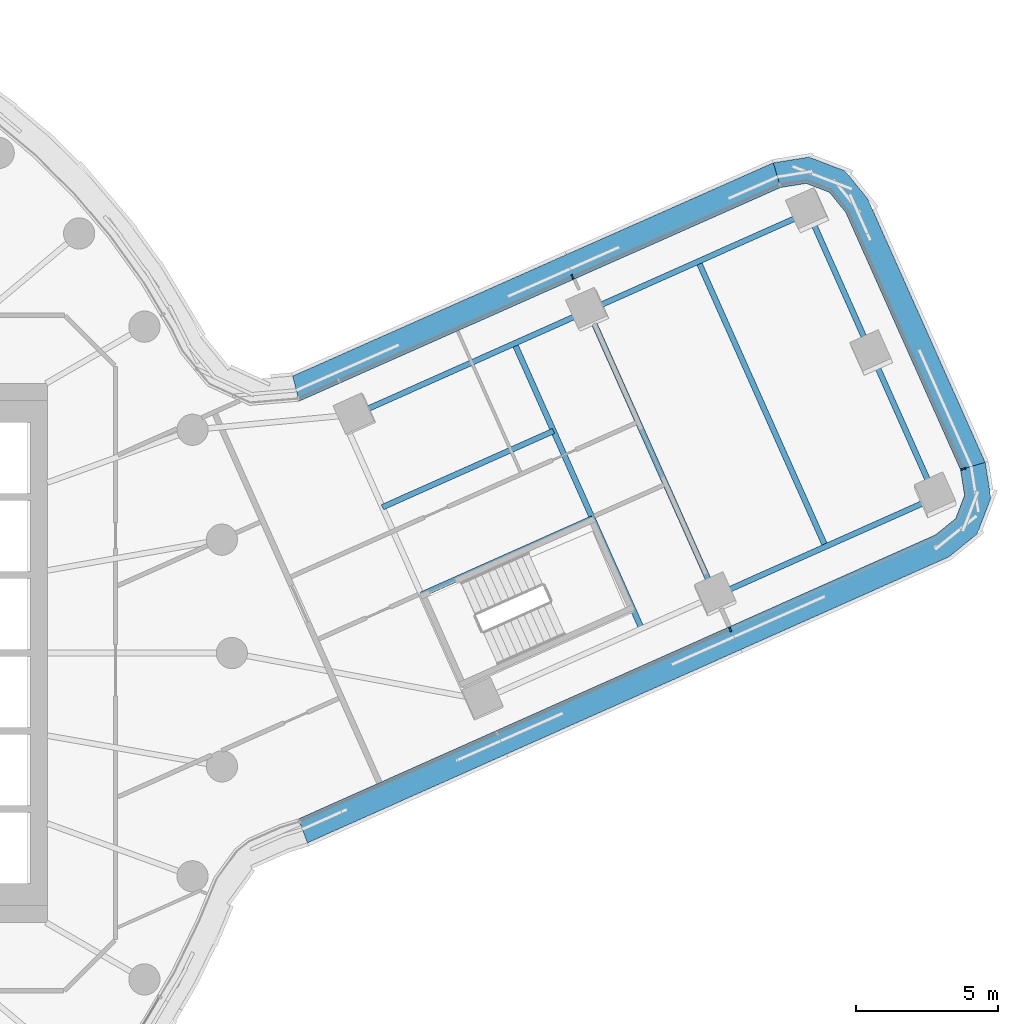
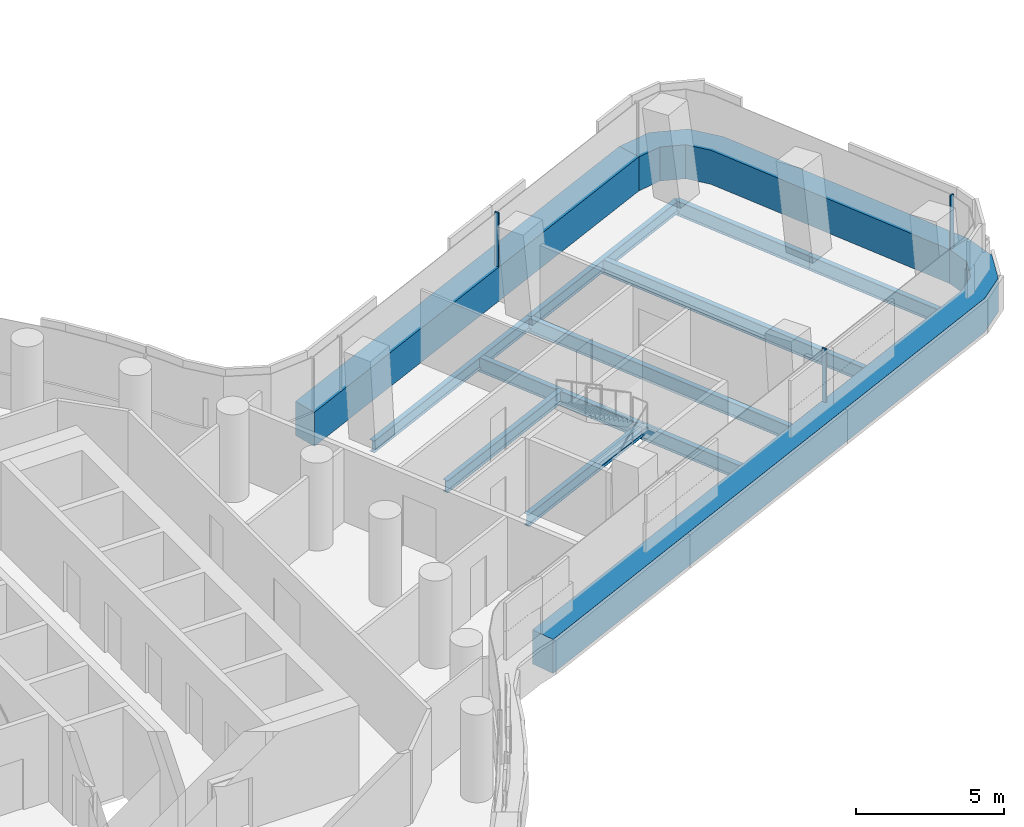
# One storey, part 12 of 35: 10 beams, 6 members, 3 elements without a shape of their own.
"""IFC4 building model written with IfcOpenShell, lengths in metres."""

from ifc_helpers import new_model, si_unit, direction, frame, origin, origin_2d, place, context, subcontext, project, spatial, polyline, rectangle, i_section, outline, extrude, material, layer, layer_set, material_profile, profile_set, type_object, element, aggregate, save


model = new_model("IFC4")

# Units and contexts
model_context = context("Model", 3, precision=1e-05, world=origin(), true_north=direction((0.0, 1.0)))
body_context = subcontext(model_context, "Body", "Model", "MODEL_VIEW")
ifc_project = project(units=[si_unit("LENGTHUNIT", "METRE"), si_unit("AREAUNIT", "SQUARE_METRE"), si_unit("VOLUMEUNIT", "CUBIC_METRE"), si_unit("PLANEANGLEUNIT", "RADIAN"), si_unit("MASSUNIT", "GRAM", prefix="KILO")], contexts=[model_context])

# Site, building, storey
site_placement = place(None, origin())
site = spatial("IfcSite", under=ifc_project, at=site_placement, CompositionType="ELEMENT")
building_placement = place(site_placement, origin())
building = spatial("IfcBuilding", under=site, at=building_placement, Name="Tamarind Cross Interchange Tower", CompositionType="ELEMENT")
storey_placement = place(building_placement, frame((0.0, 0.0, 121.0)))
storey = spatial("IfcBuildingStorey", under=building, at=storey_placement, Name="L29", CompositionType="ELEMENT", Elevation=121.0)

# Beams
ifc_material_1 = material(Name="Steel Q355B", Category="steel")
ifc_material_profile_1 = material_profile(ifc_material_1, i_section(OverallWidth=0.198974609375, OverallDepth=0.49609375, WebThickness=0.009033203125, FlangeThickness=0.013916015625, FilletRadius=0.012939453125, at=origin_2d()), Name="HN 496x199x9x14")
ifc_profile_set_1 = profile_set([ifc_material_profile_1], Name="Steel Q355B")
beam_type_1 = type_object("IfcBeamType", Name="Composite beam HN 496x199x9x14 Q355B", PredefinedType="BEAM", material=ifc_profile_set_1)
for number, where, z_axis, x_axis, name in (
    (1, (47.7958984375, 5.4794921875, -0.387939453125), (-0.913337868531, -0.407202576007, 0.0), (0.407202576007, -0.913337868531, 0.0), "Beam E-edgeem5"),
    (2, (43.31640625, 15.526123046875, -0.387939453125), (-0.913337868531, -0.407202576007, 0.0), (0.407202576007, -0.913337868531, 0.0), "Beam E-edgeep2"),
):
    element("IfcBeam", number, at=place(storey_placement, frame(where, z_axis=z_axis, x_axis=x_axis)), inside=storey, type_object=beam_type_1, Name=name, PredefinedType="BEAM", context=body_context, shape_type="SweptSolid", body=[
        extrude(i_section(OverallWidth=0.198974609375, OverallDepth=0.49609375, WebThickness=0.009033203125, FlangeThickness=0.013916015625, FilletRadius=0.012939453125, at=origin_2d()), origin(), (0.0, 0.0, 1.0), 8.491455078125),
    ])
beam_1_placement = place(storey_placement, frame((35.560791015625, 12.068359375, -0.387939453125), z_axis=(-0.913327655612, -0.407225482374, 0.0), x_axis=(0.407225482374, -0.913327655612, 0.0)))
element("IfcBeam", 3, at=beam_1_placement, inside=storey, type_object=beam_type_1, Name="Beam E-edgeep3", PredefinedType="BEAM", context=body_context, shape_type="SweptSolid", body=[
    extrude(i_section(OverallWidth=0.198974609375, OverallDepth=0.49609375, WebThickness=0.009033203125, FlangeThickness=0.013916015625, FilletRadius=0.012939453125, at=origin_2d()), origin(), (0.0, 0.0, 1.0), 9.0),
])
beam_2_placement = place(storey_placement, frame((29.6787109375, 2.054931640625, -0.387939453125), z_axis=(0.9133212232, 0.407239908717, 0.0), x_axis=(-0.407239908717, 0.9133212232, 0.0)))
element("IfcBeam", 4, at=beam_2_placement, inside=storey, type_object=beam_type_1, Name="Beam E-tr1", PredefinedType="BEAM", context=body_context, shape_type="SweptSolid", body=[
    extrude(i_section(OverallWidth=0.198974609375, OverallDepth=0.49609375, WebThickness=0.009033203125, FlangeThickness=0.013916015625, FilletRadius=0.012939453125, at=origin_2d()), origin(), (0.0, 0.0, 1.0), 6.599853515625),
])
beam_3_placement = place(storey_placement, frame((28.30419921875, 5.137451171875, -0.387939453125), z_axis=(0.913327357728, 0.407226150469, 0.0), x_axis=(-0.407226150469, 0.913327357728, 0.0)))
element("IfcBeam", 5, at=beam_3_placement, inside=storey, type_object=beam_type_1, Name="Beam E-stripp", PredefinedType="BEAM", context=body_context, shape_type="SweptSolid", body=[
    extrude(i_section(OverallWidth=0.198974609375, OverallDepth=0.49609375, WebThickness=0.009033203125, FlangeThickness=0.013916015625, FilletRadius=0.012939453125, at=origin_2d()), origin(), (0.0, 0.0, 1.0), 6.60009765625),
])
ifc_material_profile_2 = material_profile(ifc_material_1, i_section(OverallWidth=0.199951171875, OverallDepth=0.60009765625, WebThickness=0.010986328125, FlangeThickness=0.01708984375, FilletRadius=0.012939453125, at=origin_2d()), Name="HN 600x200x11x17")
ifc_profile_set_2 = profile_set([ifc_material_profile_2], Name="Steel Q355B")
beam_type_2 = type_object("IfcBeamType", Name="Composite beam HN 600x200x11x17 Q355B", PredefinedType="BEAM", material=ifc_profile_set_2)
beam_4_placement = place(storey_placement, frame((47.7958984375, 5.4794921875, -0.43994140625), z_axis=(-0.407217227701, 0.913331336079, 0.0), x_axis=(-0.913331336079, -0.407217227701, 0.0)))
element("IfcBeam", 6, at=beam_4_placement, inside=storey, type_object=beam_type_2, Name="Beam E-tip0", PredefinedType="BEAM", context=body_context, shape_type="SweptSolid", body=[
    extrude(i_section(OverallWidth=0.199951171875, OverallDepth=0.60009765625, WebThickness=0.010986328125, FlangeThickness=0.01708984375, FilletRadius=0.012939453125, at=origin_2d()), origin(), (0.0, 0.0, 1.0), 5.500244140625),
])
beam_5_placement = place(storey_placement, frame((45.55615234375, 10.5029296875, -0.43994140625), z_axis=(-0.407233737348, 0.913323974921, 0.0), x_axis=(-0.913323974921, -0.407233737348, 0.0)))
element("IfcBeam", 7, at=beam_5_placement, inside=storey, type_object=beam_type_2, Name="Beam E-tip1", PredefinedType="BEAM", context=body_context, shape_type="SweptSolid", body=[
    extrude(i_section(OverallWidth=0.199951171875, OverallDepth=0.60009765625, WebThickness=0.010986328125, FlangeThickness=0.01708984375, FilletRadius=0.012939453125, at=origin_2d()), origin(), (0.0, 0.0, 1.0), 5.5),
])
for number, where, z_axis, x_axis, name in (
    (8, (37.437255859375, 0.861083984375, -0.43994140625), (-0.407206968158, 0.913335910322, 0.0), (-0.913335910322, -0.407206968158, 0.0), "Beam E-x364"),
    (9, (40.040283203125, 2.021728515625, -0.43994140625), (-0.407225482374, 0.913327655612, 0.0), (-0.913327655612, -0.407225482374, 0.0), "Beam E-x393"),
    (10, (43.91796875, 3.75048828125, -0.43994140625), (-0.407206968158, 0.913335910322, 0.0), (-0.913335910322, -0.407206968158, 0.0), "Beam E-x435"),
):
    element("IfcBeam", number, at=place(storey_placement, frame(where, z_axis=z_axis, x_axis=x_axis)), inside=storey, type_object=beam_type_2, Name=name, PredefinedType="BEAM", context=body_context, shape_type="SweptSolid", body=[
        extrude(i_section(OverallWidth=0.199951171875, OverallDepth=0.60009765625, WebThickness=0.010986328125, FlangeThickness=0.01708984375, FilletRadius=0.012939453125, at=origin_2d()), origin(), (0.0, 0.0, 1.0), 11.0),
    ])

# Curtain wall, member
ifc_material_2 = material(Name="Aluminium 6063-T6", Category="aluminium")
ifc_layer = layer(ifc_material_2, 0.159912109375)
ifc_layer_set = layer_set([ifc_layer], Name="Aluminium 6063-T6")
curtain_wall_type = type_object("IfcCurtainWallType", Name="Office curtain wall, 9.0 m bays", PredefinedType="NOTDEFINED", material=ifc_layer_set)
curtain_wall_1_placement = place(storey_placement, origin())
curtain_wall_1 = element("IfcCurtainWall", 11, at=curtain_wall_1_placement, inside=storey, type_object=curtain_wall_type, Name="CWS-L29-07", PredefinedType="NOTDEFINED")
ifc_material_3 = material(Name="Aluminium and insulated spandrel panel", Category="aluminium")
member_type_1 = type_object("IfcMemberType", Name="Floor-edge blade transom", PredefinedType="USERDEFINED", material=ifc_material_3)
member_1_placement = place(storey_placement, origin())
member_1 = element("IfcMember", 12, at=member_1_placement, type_object=member_type_1, Name="CWT-L29-07", ObjectType="TRANSOM", PredefinedType="USERDEFINED", context=body_context, shape_type="SweptSolid", body=[
    extrude(outline(polyline([(25.34619140625, -5.843994140625), (47.791748046875, 4.163818359375), (48.5029296875, 4.740234375), (48.81591796875, 5.556884765625), (48.672119140625, 6.4609375), (49.54248046875, 6.71923828125), (49.742431640625, 5.4599609375), (49.257080078125, 4.193115234375), (48.2666015625, 3.39013671875), (25.6630859375, -6.68798828125), (25.34619140625, -5.843994140625)])), origin(), (0.0, 0.0, 1.0), 1.39990234375),
])

curtain_wall_2_placement = place(storey_placement, origin())
curtain_wall_2 = element("IfcCurtainWall", 13, at=curtain_wall_2_placement, inside=storey, type_object=curtain_wall_type, Name="CWS-L29-08", PredefinedType="NOTDEFINED")
member_2_placement = place(storey_placement, origin())
member_2 = element("IfcMember", 14, at=member_2_placement, type_object=member_type_1, Name="CWT-L29-08", ObjectType="TRANSOM", PredefinedType="USERDEFINED", context=body_context, shape_type="SweptSolid", body=[
    extrude(outline(polyline([(48.672119140625, 6.4609375), (44.632080078125, 15.52197265625), (44.0556640625, 16.233154296875), (43.239013671875, 16.546142578125), (42.334716796875, 16.40234375), (42.0771484375, 17.272705078125), (43.3359375, 17.472900390625), (44.60302734375, 16.9873046875), (45.40576171875, 15.996826171875), (49.54248046875, 6.71923828125), (48.672119140625, 6.4609375)])), origin(), (0.0, 0.0, 1.0), 1.39990234375),
])

curtain_wall_3_placement = place(storey_placement, origin())
curtain_wall_3 = element("IfcCurtainWall", 15, at=curtain_wall_3_placement, inside=storey, type_object=curtain_wall_type, Name="CWS-L29-09", PredefinedType="NOTDEFINED")
member_3_placement = place(storey_placement, origin())
member_3 = element("IfcMember", 16, at=member_3_placement, type_object=member_type_1, Name="CWT-L29-09", ObjectType="TRANSOM", PredefinedType="USERDEFINED", context=body_context, shape_type="SweptSolid", body=[
    extrude(outline(polyline([(42.334716796875, 16.40234375), (25.369873046875, 8.8740234375), (25.142822265625, 9.7578125), (42.0771484375, 17.272705078125), (42.334716796875, 16.40234375)])), origin(), (0.0, 0.0, 1.0), 1.39990234375),
])

# Member
ifc_material_profile_3 = material_profile(ifc_material_2, rectangle(XDim=0.06005859375, YDim=0.159912109375, at=origin_2d()), Name="Mullion CW1")
ifc_profile_set_3 = profile_set([ifc_material_profile_3], Name="Aluminium 6063-T6")
member_type_2 = type_object("IfcMemberType", Name="Mullion CW1", PredefinedType="MULLION", material=ifc_profile_set_3)
member_4_placement = place(storey_placement, frame((40.556884765625, 0.82861328125, 1.39990234375), z_axis=(0.0, 0.0, 1.0), x_axis=(0.913329522698, 0.407221294835, 0.0)))
member_4 = element("IfcMember", 17, at=member_4_placement, type_object=member_type_2, Name="CWM-L29-07-02", PredefinedType="MULLION", context=body_context, shape_type="SweptSolid", body=[
    extrude(rectangle(XDim=0.06005859375, YDim=0.159912109375, at=origin_2d()), origin(), (0.0, 0.0, 1.0), 2.210205078125),
])

aggregate(curtain_wall_1, [member_4, member_1])

member_5_placement = place(storey_placement, frame((48.768798828125, 6.48974609375, 1.39990234375), z_axis=(0.0, 0.0, 1.0), x_axis=(-0.284524035366, 0.958668907026, 0.0)))
member_5 = element("IfcMember", 18, at=member_5_placement, type_object=member_type_2, Name="CWM-L29-08-00", PredefinedType="MULLION", context=body_context, shape_type="SweptSolid", body=[
    extrude(rectangle(XDim=0.06005859375, YDim=0.159912109375, at=origin_2d()), origin(), (0.0, 0.0, 1.0), 2.210205078125),
])

aggregate(curtain_wall_2, [member_5, member_2])

member_6_placement = place(storey_placement, frame((34.998779296875, 13.25634765625, 1.39990234375), z_axis=(0.0, 0.0, 1.0), x_axis=(-0.914040185221, -0.40562364305, 0.0)))
member_6 = element("IfcMember", 19, at=member_6_placement, type_object=member_type_2, Name="CWM-L29-09-01", PredefinedType="MULLION", context=body_context, shape_type="SweptSolid", body=[
    extrude(rectangle(XDim=0.06005859375, YDim=0.159912109375, at=origin_2d()), origin(), (0.0, 0.0, 1.0), 2.210205078125),
])

aggregate(curtain_wall_3, [member_6, member_3])

save(model, "model.ifc")
